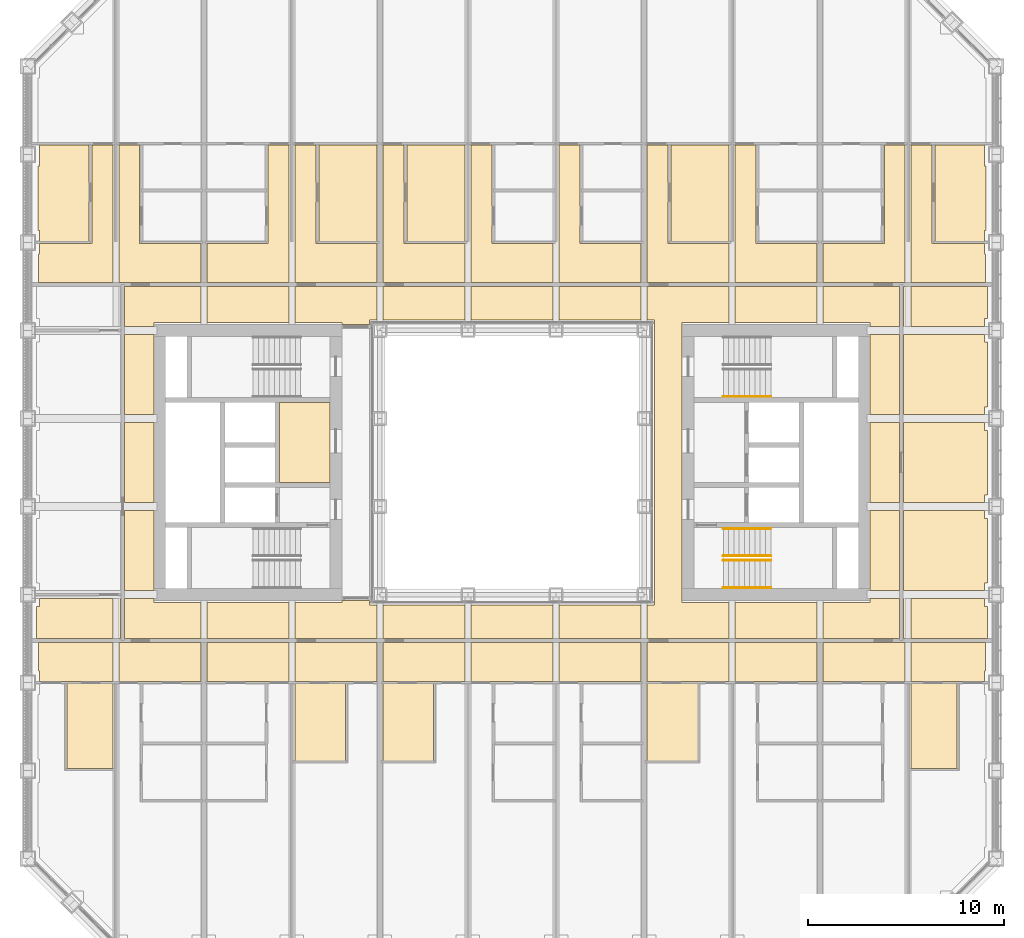
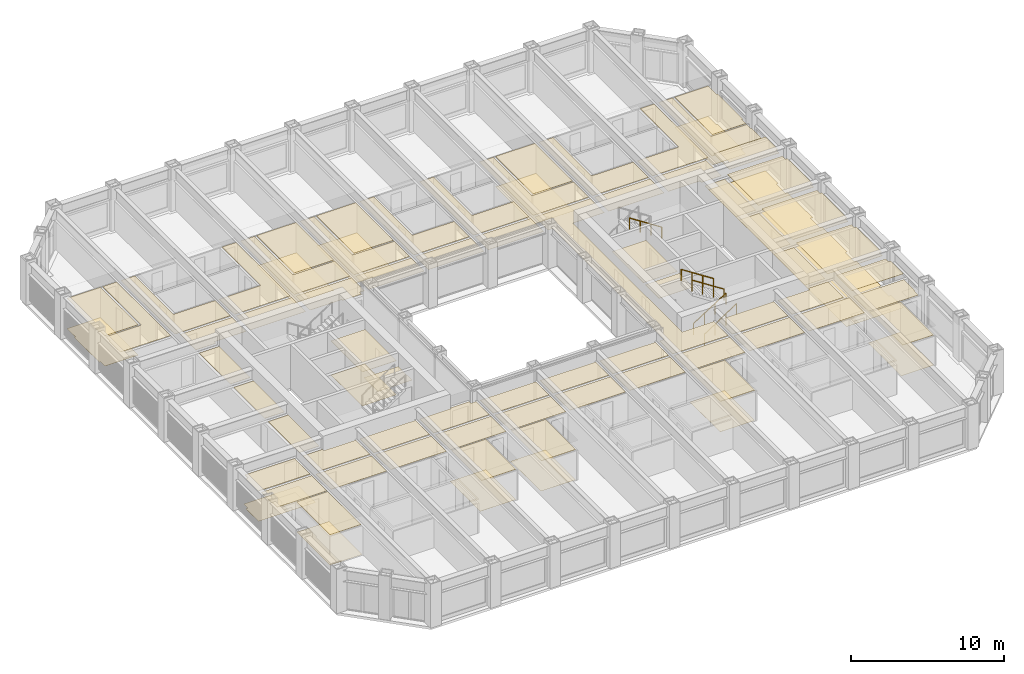
# One storey, part 20 of 21: 5 railings, 4 coverings.
"""IFC4 building model written with IfcOpenShell, lengths in metres."""

from ifc_helpers import new_model, si_unit, direction, frame, origin, origin_2d, place, context, subcontext, project, spatial, line, indexed_curve, circle, outline, extrude, material, layer, layer_set, type_object, element, save


model = new_model("IFC4")

# Units and contexts
model_context = context("Model", 3, precision=1e-05, world=origin(), true_north=direction((0.0, 1.0)))
body_context = subcontext(model_context, "Body", "Model", "MODEL_VIEW")
ifc_project = project(units=[si_unit("LENGTHUNIT", "METRE"), si_unit("AREAUNIT", "SQUARE_METRE"), si_unit("VOLUMEUNIT", "CUBIC_METRE"), si_unit("PLANEANGLEUNIT", "RADIAN"), si_unit("MASSUNIT", "GRAM", prefix="KILO")], contexts=[model_context])

# Site, building, storey
site_placement = place(None, origin())
site = spatial("IfcSite", under=ifc_project, at=site_placement, CompositionType="ELEMENT")
building_placement = place(site_placement, origin())
building = spatial("IfcBuilding", under=site, at=building_placement, Name="Msasa Ring Tower", CompositionType="ELEMENT")
storey_placement = place(building_placement, frame((0.0, 0.0, 54.5)))
storey = spatial("IfcBuildingStorey", under=building, at=storey_placement, Name="L13", CompositionType="ELEMENT", Elevation=54.5)

# Coverings
ifc_material_1 = material(Name="Gypsum plasterboard on a steel suspension grid", Category="steel")
ifc_layer_1 = layer(ifc_material_1, 0.014892578125)
ifc_layer_set_1 = layer_set([ifc_layer_1], Name="C1 SUSPENDED PLASTERBOARD CEILING 15")
covering_type_1 = type_object("IfcCoveringType", Name="C1 SUSPENDED PLASTERBOARD CEILING 15", PredefinedType="CEILING", material=ifc_layer_set_1)
covering_1_placement = place(storey_placement, frame((0.0, 0.0, 2.39990234375)))
element("IfcCovering", 1, at=covering_1_placement, inside=storey, type_object=covering_type_1, Name="Suspended Plasterboard Ceiling 15 circulation L13", PredefinedType="CEILING", context=body_context, shape_type="SweptSolid", body=[
    extrude(outline(indexed_curve([(-24.1494140625, -11.199462890625), (-24.1494140625, -10.6494140625), (-24.199462890625, -10.6494140625), (-24.199462890625, -9.200439453125), (-20.404296875, -9.200439453125), (-20.404296875, -11.199462890625)], segments=[line(1, 2, 3, 4, 5, 6, 1)], self_intersect=False)), origin(), (0.0, 0.0, 1.0), 0.01513671875),
    extrude(outline(indexed_curve([(-24.199462890625, 9.200439453125), (-24.199462890625, 10.6494140625), (-24.1494140625, 10.6494140625), (-24.1494140625, 11.199462890625), (-21.469482421875, 11.199462890625), (-21.469482421875, 16.244384765625), (-20.404296875, 16.244384765625), (-20.404296875, 9.200439453125)], segments=[line(1, 2, 3, 4, 5, 6, 7, 8, 1)], self_intersect=False)), origin(), (0.0, 0.0, 1.0), 0.01513671875),
    extrude(outline(indexed_curve([(-20.095703125, -11.199462890625), (-20.095703125, -9.200439453125), (-15.904296875, -9.200439453125), (-15.904296875, -11.199462890625)], segments=[line(1, 2, 3, 4, 1)], self_intersect=False)), origin(), (0.0, 0.0, 1.0), 0.01513671875),
    extrude(outline(indexed_curve([(-19.030517578125, 16.244384765625), (-19.030517578125, 11.199462890625), (-15.904296875, 11.199462890625), (-15.904296875, 9.200439453125), (-20.095703125, 9.200439453125), (-20.095703125, 16.244384765625)], segments=[line(1, 2, 3, 4, 5, 6, 1)], self_intersect=False)), origin(), (0.0, 0.0, 1.0), 0.01513671875),
    extrude(outline(indexed_curve([(-19.799560546875, -8.99951171875), (-19.799560546875, -6.960693359375), (-18.300537109375, -6.960693359375), (-18.300537109375, -7.150390625), (-15.904296875, -7.150390625), (-15.904296875, -8.99951171875)], segments=[line(1, 2, 3, 4, 5, 6, 1)], self_intersect=False)), origin(), (0.0, 0.0, 1.0), 0.01513671875),
    extrude(outline(indexed_curve([(-19.799560546875, -2.460693359375), (-18.300537109375, -2.460693359375), (-18.300537109375, -6.539306640625), (-19.799560546875, -6.539306640625)], segments=[line(1, 2, 3, 4, 1)], self_intersect=False)), origin(), (0.0, 0.0, 1.0), 0.01513671875),
    extrude(outline(indexed_curve([(-19.799560546875, 2.039306640625), (-18.300537109375, 2.039306640625), (-18.300537109375, -2.039306640625), (-19.799560546875, -2.039306640625)], segments=[line(1, 2, 3, 4, 1)], self_intersect=False)), origin(), (0.0, 0.0, 1.0), 0.01513671875),
    extrude(outline(indexed_curve([(-19.799560546875, 6.539306640625), (-18.300537109375, 6.539306640625), (-18.300537109375, 2.460693359375), (-19.799560546875, 2.460693359375)], segments=[line(1, 2, 3, 4, 1)], self_intersect=False)), origin(), (0.0, 0.0, 1.0), 0.01513671875),
    extrude(outline(indexed_curve([(-19.799560546875, 8.99951171875), (-15.904296875, 8.99951171875), (-15.904296875, 7.150390625), (-18.300537109375, 7.150390625), (-18.300537109375, 6.960693359375), (-19.799560546875, 6.960693359375)], segments=[line(1, 2, 3, 4, 5, 6, 1)], self_intersect=False)), origin(), (0.0, 0.0, 1.0), 0.01513671875),
    extrude(outline(indexed_curve([(-11.404296875, -9.200439453125), (-11.404296875, -11.199462890625), (-15.595703125, -11.199462890625), (-15.595703125, -9.200439453125)], segments=[line(1, 2, 3, 4, 1)], self_intersect=False)), origin(), (0.0, 0.0, 1.0), 0.01513671875),
    extrude(outline(indexed_curve([(-15.595703125, -8.99951171875), (-15.595703125, -7.150390625), (-11.404296875, -7.150390625), (-11.404296875, -8.99951171875)], segments=[line(1, 2, 3, 4, 1)], self_intersect=False)), origin(), (0.0, 0.0, 1.0), 0.01513671875),
    extrude(outline(indexed_curve([(-11.404296875, 8.99951171875), (-11.404296875, 7.150390625), (-15.595703125, 7.150390625), (-15.595703125, 8.99951171875)], segments=[line(1, 2, 3, 4, 1)], self_intersect=False)), origin(), (0.0, 0.0, 1.0), 0.01513671875),
    extrude(outline(indexed_curve([(-15.595703125, 9.200439453125), (-15.595703125, 11.199462890625), (-12.469482421875, 11.199462890625), (-12.469482421875, 16.244384765625), (-11.404296875, 16.244384765625), (-11.404296875, 9.200439453125)], segments=[line(1, 2, 3, 4, 5, 6, 1)], self_intersect=False)), origin(), (0.0, 0.0, 1.0), 0.01513671875),
    extrude(outline(indexed_curve([(-11.87451171875, -1.275390625), (-9.300537109375, -1.275390625), (-9.300537109375, -3.074462890625), (-11.87451171875, -3.074462890625)], segments=[line(1, 2, 3, 4, 1)], self_intersect=False)), origin(), (0.0, 0.0, 1.0), 0.01513671875),
    extrude(outline(indexed_curve([(-6.904296875, -9.200439453125), (-6.904296875, -11.199462890625), (-11.095703125, -11.199462890625), (-11.095703125, -9.200439453125)], segments=[line(1, 2, 3, 4, 1)], self_intersect=False)), origin(), (0.0, 0.0, 1.0), 0.01513671875),
    extrude(outline(indexed_curve([(-11.095703125, -8.99951171875), (-11.095703125, -7.150390625), (-8.699462890625, -7.150390625), (-8.699462890625, -7.050537109375), (-7.280029296875, -7.050537109375), (-7.275390625, -7.275390625), (-6.904296875, -7.280029296875), (-6.904296875, -8.99951171875)], segments=[line(1, 2, 3, 4, 5, 6, 7, 8, 1)], self_intersect=False)), origin(), (0.0, 0.0, 1.0), 0.01513671875),
    extrude(outline(indexed_curve([(-6.904296875, 8.99951171875), (-6.904296875, 7.280029296875), (-7.275390625, 7.275390625), (-7.280029296875, 7.050537109375), (-8.699462890625, 7.050537109375), (-8.699462890625, 7.150390625), (-11.095703125, 7.150390625), (-11.095703125, 8.99951171875)], segments=[line(1, 2, 3, 4, 5, 6, 7, 8, 1)], self_intersect=False)), origin(), (0.0, 0.0, 1.0), 0.01513671875),
    extrude(outline(indexed_curve([(-10.030517578125, 16.244384765625), (-10.030517578125, 11.199462890625), (-6.904296875, 11.199462890625), (-6.904296875, 9.200439453125), (-11.095703125, 9.200439453125), (-11.095703125, 16.244384765625)], segments=[line(1, 2, 3, 4, 5, 6, 1)], self_intersect=False)), origin(), (0.0, 0.0, 1.0), 0.01513671875),
    extrude(outline(indexed_curve([(-6.595703125, -11.199462890625), (-6.595703125, -9.200439453125), (-2.404296875, -9.200439453125), (-2.404296875, -11.199462890625)], segments=[line(1, 2, 3, 4, 1)], self_intersect=False)), origin(), (0.0, 0.0, 1.0), 0.01513671875),
    extrude(outline(indexed_curve([(-6.595703125, -8.99951171875), (-6.595703125, -7.280029296875), (-2.404296875, -7.280029296875), (-2.404296875, -8.99951171875)], segments=[line(1, 2, 3, 4, 1)], self_intersect=False)), origin(), (0.0, 0.0, 1.0), 0.01513671875),
    extrude(outline(indexed_curve([(-2.404296875, 8.99951171875), (-2.404296875, 7.280029296875), (-6.595703125, 7.280029296875), (-6.595703125, 8.99951171875)], segments=[line(1, 2, 3, 4, 1)], self_intersect=False)), origin(), (0.0, 0.0, 1.0), 0.01513671875),
    extrude(outline(indexed_curve([(-2.404296875, 11.199462890625), (-2.404296875, 9.200439453125), (-6.595703125, 9.200439453125), (-6.595703125, 16.244384765625), (-5.530517578125, 16.244384765625), (-5.530517578125, 11.199462890625)], segments=[line(1, 2, 3, 4, 5, 6, 1)], self_intersect=False)), origin(), (0.0, 0.0, 1.0), 0.01513671875),
    extrude(outline(indexed_curve([(-2.095703125, -11.199462890625), (-2.095703125, -9.200439453125), (2.095703125, -9.200439453125), (2.095703125, -11.199462890625)], segments=[line(1, 2, 3, 4, 1)], self_intersect=False)), origin(), (0.0, 0.0, 1.0), 0.01513671875),
    extrude(outline(indexed_curve([(-2.095703125, -8.99951171875), (-2.095703125, -7.280029296875), (2.095703125, -7.280029296875), (2.095703125, -8.99951171875)], segments=[line(1, 2, 3, 4, 1)], self_intersect=False)), origin(), (0.0, 0.0, 1.0), 0.01513671875),
    extrude(outline(indexed_curve([(2.095703125, 8.99951171875), (2.095703125, 7.280029296875), (-2.095703125, 7.280029296875), (-2.095703125, 8.99951171875)], segments=[line(1, 2, 3, 4, 1)], self_intersect=False)), origin(), (0.0, 0.0, 1.0), 0.01513671875),
    extrude(outline(indexed_curve([(-1.030517578125, 16.244384765625), (-1.030517578125, 11.199462890625), (2.095703125, 11.199462890625), (2.095703125, 9.200439453125), (-2.095703125, 9.200439453125), (-2.095703125, 16.244384765625)], segments=[line(1, 2, 3, 4, 5, 6, 1)], self_intersect=False)), origin(), (0.0, 0.0, 1.0), 0.01513671875),
    extrude(outline(indexed_curve([(2.404296875, -11.199462890625), (2.404296875, -9.200439453125), (6.595703125, -9.200439453125), (6.595703125, -11.199462890625)], segments=[line(1, 2, 3, 4, 1)], self_intersect=False)), origin(), (0.0, 0.0, 1.0), 0.01513671875),
    extrude(outline(indexed_curve([(2.404296875, -8.99951171875), (2.404296875, -7.280029296875), (6.595703125, -7.280029296875), (6.595703125, -8.99951171875)], segments=[line(1, 2, 3, 4, 1)], self_intersect=False)), origin(), (0.0, 0.0, 1.0), 0.01513671875),
    extrude(outline(indexed_curve([(6.595703125, 8.99951171875), (6.595703125, 7.280029296875), (2.404296875, 7.280029296875), (2.404296875, 8.99951171875)], segments=[line(1, 2, 3, 4, 1)], self_intersect=False)), origin(), (0.0, 0.0, 1.0), 0.01513671875),
    extrude(outline(indexed_curve([(3.469482421875, 16.244384765625), (3.469482421875, 11.199462890625), (6.595703125, 11.199462890625), (6.595703125, 9.200439453125), (2.404296875, 9.200439453125), (2.404296875, 16.244384765625)], segments=[line(1, 2, 3, 4, 5, 6, 1)], self_intersect=False)), origin(), (0.0, 0.0, 1.0), 0.01513671875),
    extrude(outline(indexed_curve([(11.095703125, -9.200439453125), (11.095703125, -11.199462890625), (6.904296875, -11.199462890625), (6.904296875, -9.200439453125)], segments=[line(1, 2, 3, 4, 1)], self_intersect=False)), origin(), (0.0, 0.0, 1.0), 0.01513671875),
    extrude(outline(indexed_curve([(6.904296875, -8.99951171875), (6.904296875, -7.280029296875), (7.275390625, -7.275390625), (7.280517578125, -7.23046875), (7.280517578125, 7.23046875), (7.275390625, 7.275390625), (6.904296875, 7.280029296875), (6.904296875, 8.99951171875), (11.095703125, 8.99951171875), (11.095703125, 7.150390625), (8.699462890625, 7.150390625), (8.699462890625, -7.150390625), (11.095703125, -7.150390625), (11.095703125, -8.99951171875)], segments=[line(1, 2, 3, 4, 5, 6, 7, 8, 9, 10, 11, 12, 13, 14, 1)], self_intersect=False)), origin(), (0.0, 0.0, 1.0), 0.01513671875),
    extrude(outline(indexed_curve([(7.969482421875, 11.199462890625), (11.095703125, 11.199462890625), (11.095703125, 9.200439453125), (6.904296875, 9.200439453125), (6.904296875, 16.244384765625), (7.969482421875, 16.244384765625)], segments=[line(1, 2, 3, 4, 5, 6, 1)], self_intersect=False)), origin(), (0.0, 0.0, 1.0), 0.01513671875),
    extrude(outline(indexed_curve([(9.300537109375, -1.275390625), (11.87451171875, -1.275390625), (11.87451171875, -3.074462890625), (9.300537109375, -3.074462890625)], segments=[line(1, 2, 3, 4, 1)], self_intersect=False)), origin(), (0.0, 0.0, 1.0), 0.01513671875),
    extrude(outline(indexed_curve([(9.300537109375, 3.074462890625), (11.87451171875, 3.074462890625), (11.87451171875, -1.0244140625), (9.300537109375, -1.0244140625)], segments=[line(1, 2, 3, 4, 1)], self_intersect=False)), origin(), (0.0, 0.0, 1.0), 0.01513671875),
    extrude(outline(indexed_curve([(15.595703125, -9.200439453125), (15.595703125, -11.199462890625), (11.404296875, -11.199462890625), (11.404296875, -9.200439453125)], segments=[line(1, 2, 3, 4, 1)], self_intersect=False)), origin(), (0.0, 0.0, 1.0), 0.01513671875),
    extrude(outline(indexed_curve([(11.404296875, -8.99951171875), (11.404296875, -7.150390625), (15.595703125, -7.150390625), (15.595703125, -8.99951171875)], segments=[line(1, 2, 3, 4, 1)], self_intersect=False)), origin(), (0.0, 0.0, 1.0), 0.01513671875),
    extrude(outline(indexed_curve([(15.595703125, 8.99951171875), (15.595703125, 7.150390625), (11.404296875, 7.150390625), (11.404296875, 8.99951171875)], segments=[line(1, 2, 3, 4, 1)], self_intersect=False)), origin(), (0.0, 0.0, 1.0), 0.01513671875),
    extrude(outline(indexed_curve([(12.469482421875, 16.244384765625), (12.469482421875, 11.199462890625), (15.595703125, 11.199462890625), (15.595703125, 9.200439453125), (11.404296875, 9.200439453125), (11.404296875, 16.244384765625)], segments=[line(1, 2, 3, 4, 5, 6, 1)], self_intersect=False)), origin(), (0.0, 0.0, 1.0), 0.01513671875),
    extrude(outline(indexed_curve([(20.095703125, -9.200439453125), (20.095703125, -11.199462890625), (15.904296875, -11.199462890625), (15.904296875, -9.200439453125)], segments=[line(1, 2, 3, 4, 1)], self_intersect=False)), origin(), (0.0, 0.0, 1.0), 0.01513671875),
    extrude(outline(indexed_curve([(19.799560546875, -8.99951171875), (15.904296875, -8.99951171875), (15.904296875, -7.150390625), (18.300537109375, -7.150390625), (18.300537109375, -6.960693359375), (19.799560546875, -6.960693359375)], segments=[line(1, 2, 3, 4, 5, 6, 1)], self_intersect=False)), origin(), (0.0, 0.0, 1.0), 0.01513671875),
    extrude(outline(indexed_curve([(19.799560546875, 6.960693359375), (18.300537109375, 6.960693359375), (18.300537109375, 7.150390625), (15.904296875, 7.150390625), (15.904296875, 8.99951171875), (19.799560546875, 8.99951171875)], segments=[line(1, 2, 3, 4, 5, 6, 1)], self_intersect=False)), origin(), (0.0, 0.0, 1.0), 0.01513671875),
    extrude(outline(indexed_curve([(15.904296875, 9.200439453125), (15.904296875, 11.199462890625), (19.030517578125, 11.199462890625), (19.030517578125, 16.244384765625), (20.095703125, 16.244384765625), (20.095703125, 9.200439453125)], segments=[line(1, 2, 3, 4, 5, 6, 1)], self_intersect=False)), origin(), (0.0, 0.0, 1.0), 0.01513671875),
    extrude(outline(indexed_curve([(19.799560546875, -6.539306640625), (18.300537109375, -6.539306640625), (18.300537109375, -2.460693359375), (19.799560546875, -2.460693359375)], segments=[line(1, 2, 3, 4, 1)], self_intersect=False)), origin(), (0.0, 0.0, 1.0), 0.01513671875),
    extrude(outline(indexed_curve([(19.799560546875, -2.039306640625), (18.300537109375, -2.039306640625), (18.300537109375, 2.039306640625), (19.799560546875, 2.039306640625)], segments=[line(1, 2, 3, 4, 1)], self_intersect=False)), origin(), (0.0, 0.0, 1.0), 0.01513671875),
    extrude(outline(indexed_curve([(19.799560546875, 2.460693359375), (18.300537109375, 2.460693359375), (18.300537109375, 6.539306640625), (19.799560546875, 6.539306640625)], segments=[line(1, 2, 3, 4, 1)], self_intersect=False)), origin(), (0.0, 0.0, 1.0), 0.01513671875),
    extrude(outline(indexed_curve([(24.199462890625, -9.200439453125), (24.199462890625, -10.6494140625), (24.1494140625, -10.6494140625), (24.1494140625, -11.199462890625), (20.404296875, -11.199462890625), (20.404296875, -9.200439453125)], segments=[line(1, 2, 3, 4, 5, 6, 1)], self_intersect=False)), origin(), (0.0, 0.0, 1.0), 0.01513671875),
    extrude(outline(indexed_curve([(21.469482421875, 16.244384765625), (21.469482421875, 11.199462890625), (24.1494140625, 11.199462890625), (24.1494140625, 10.6494140625), (24.199462890625, 10.6494140625), (24.199462890625, 9.200439453125), (20.404296875, 9.200439453125), (20.404296875, 16.244384765625)], segments=[line(1, 2, 3, 4, 5, 6, 7, 8, 1)], self_intersect=False)), origin(), (0.0, 0.0, 1.0), 0.01513671875),
])
ifc_material_2 = material(Name="Mineral fibre ceiling tiles on an exposed steel grid", Category="steel")
ifc_layer_2 = layer(ifc_material_2, 0.02001953125)
ifc_layer_set_2 = layer_set([ifc_layer_2], Name="C3 ACOUSTIC MINERAL FIBRE TILE CEILING 20")
covering_type_2 = type_object("IfcCoveringType", Name="C3 ACOUSTIC MINERAL FIBRE TILE CEILING 20", PredefinedType="CEILING", material=ifc_layer_set_2)
covering_2_placement = place(storey_placement, frame((0.0, 0.0, 2.699951171875)))
element("IfcCovering", 2, at=covering_2_placement, inside=storey, type_object=covering_type_2, Name="Acoustic Mineral Fibre Tile Ceiling 20 L13", PredefinedType="CEILING", context=body_context, shape_type="SweptSolid", body=[
    extrude(outline(indexed_curve([(-9.300537109375, 3.074462890625), (-9.300537109375, -1.0244140625), (-11.87451171875, -1.0244140625), (-11.87451171875, 3.074462890625)], segments=[line(1, 2, 3, 4, 1)], self_intersect=False)), origin(), (0.0, 0.0, 1.0), 0.02001953125),
    extrude(outline(indexed_curve([(20.00048828125, -2.460693359375), (24.1494140625, -2.460693359375), (24.1494140625, -2.8505859375), (24.299560546875, -2.8505859375), (24.299560546875, -6.1494140625), (24.1494140625, -6.1494140625), (24.1494140625, -6.539306640625), (20.00048828125, -6.539306640625)], segments=[line(1, 2, 3, 4, 5, 6, 7, 8, 1)], self_intersect=False)), origin(), (0.0, 0.0, 1.0), 0.02001953125),
    extrude(outline(indexed_curve([(20.00048828125, 2.039306640625), (24.1494140625, 2.039306640625), (24.1494140625, 1.6494140625), (24.299560546875, 1.6494140625), (24.299560546875, -1.6494140625), (24.1494140625, -1.6494140625), (24.1494140625, -2.039306640625), (20.00048828125, -2.039306640625)], segments=[line(1, 2, 3, 4, 5, 6, 7, 8, 1)], self_intersect=False)), origin(), (0.0, 0.0, 1.0), 0.02001953125),
    extrude(outline(indexed_curve([(20.00048828125, 6.539306640625), (24.1494140625, 6.539306640625), (24.1494140625, 6.1494140625), (24.299560546875, 6.1494140625), (24.299560546875, 2.8505859375), (24.1494140625, 2.8505859375), (24.1494140625, 2.460693359375), (20.00048828125, 2.460693359375)], segments=[line(1, 2, 3, 4, 5, 6, 7, 8, 1)], self_intersect=False)), origin(), (0.0, 0.0, 1.0), 0.02001953125),
    extrude(outline(indexed_curve([(24.299560546875, -8.99951171875), (20.404296875, -8.99951171875), (20.404296875, -6.960693359375), (24.1494140625, -6.960693359375), (24.1494140625, -7.3505859375), (24.299560546875, -7.3505859375)], segments=[line(1, 2, 3, 4, 5, 6, 1)], self_intersect=False)), origin(), (0.0, 0.0, 1.0), 0.02001953125),
    extrude(outline(indexed_curve([(24.299560546875, 8.99951171875), (24.299560546875, 7.3505859375), (24.1494140625, 7.3505859375), (24.1494140625, 6.960693359375), (20.404296875, 6.960693359375), (20.404296875, 8.99951171875)], segments=[line(1, 2, 3, 4, 5, 6, 1)], self_intersect=False)), origin(), (0.0, 0.0, 1.0), 0.02001953125),
])
ifc_material_3 = material(Name="Perforated aluminium ceiling pans on a steel grid", Category="steel")
ifc_layer_3 = layer(ifc_material_3, 0.02490234375)
ifc_layer_set_3 = layer_set([ifc_layer_3], Name="C4 PERFORATED METAL PAN CEILING 25")
covering_type_3 = type_object("IfcCoveringType", Name="C4 PERFORATED METAL PAN CEILING 25", PredefinedType="CEILING", material=ifc_layer_set_3)
covering_3_placement = place(storey_placement, frame((0.0, 0.0, 2.39990234375)))
element("IfcCovering", 3, at=covering_3_placement, inside=storey, type_object=covering_type_3, Name="Perforated Metal Pan Ceiling 25 L13", PredefinedType="CEILING", context=body_context, shape_type="SweptSolid", body=[
    extrude(outline(indexed_curve([(-24.299560546875, -8.99951171875), (-24.299560546875, -7.3505859375), (-24.1494140625, -7.3505859375), (-24.1494140625, -6.960693359375), (-20.404296875, -6.960693359375), (-20.404296875, -8.99951171875)], segments=[line(1, 2, 3, 4, 5, 6, 1)], self_intersect=False)), origin(), (0.0, 0.0, 1.0), 0.025146484375),
    extrude(outline(indexed_curve([(-24.239501953125, 15.1494140625), (-24.1494140625, 15.1494140625), (-24.1494140625, 16.244384765625), (-21.630615234375, 16.244384765625), (-21.630615234375, 11.305419921875), (-24.1494140625, 11.305419921875), (-24.1494140625, 11.8505859375), (-24.239501953125, 11.8505859375)], segments=[line(1, 2, 3, 4, 5, 6, 7, 8, 1)], self_intersect=False)), origin(), (0.0, 0.0, 1.0), 0.025146484375),
    extrude(outline(indexed_curve([(-22.74951171875, -15.6416015625), (-22.74951171875, -11.300537109375), (-20.404296875, -11.300537109375), (-20.404296875, -15.6416015625)], segments=[line(1, 2, 3, 4, 1)], self_intersect=False)), origin(), (0.0, 0.0, 1.0), 0.025146484375),
    extrude(outline(indexed_curve([(-11.095703125, -15.24951171875), (-11.095703125, -11.300537109375), (-8.50048828125, -11.300537109375), (-8.50048828125, -15.24951171875)], segments=[line(1, 2, 3, 4, 1)], self_intersect=False)), origin(), (0.0, 0.0, 1.0), 0.025146484375),
    extrude(outline(indexed_curve([(-9.869384765625, 11.305419921875), (-9.869384765625, 16.244384765625), (-6.904296875, 16.244384765625), (-6.904296875, 11.305419921875)], segments=[line(1, 2, 3, 4, 1)], self_intersect=False)), origin(), (0.0, 0.0, 1.0), 0.025146484375),
    extrude(outline(indexed_curve([(-6.595703125, -15.24951171875), (-6.595703125, -11.300537109375), (-4.00048828125, -11.300537109375), (-4.00048828125, -15.24951171875)], segments=[line(1, 2, 3, 4, 1)], self_intersect=False)), origin(), (0.0, 0.0, 1.0), 0.025146484375),
    extrude(outline(indexed_curve([(-5.369384765625, 11.305419921875), (-5.369384765625, 16.244384765625), (-2.404296875, 16.244384765625), (-2.404296875, 11.305419921875)], segments=[line(1, 2, 3, 4, 1)], self_intersect=False)), origin(), (0.0, 0.0, 1.0), 0.025146484375),
    extrude(outline(indexed_curve([(9.49951171875, -11.300537109375), (9.49951171875, -15.24951171875), (6.904296875, -15.24951171875), (6.904296875, -11.300537109375)], segments=[line(1, 2, 3, 4, 1)], self_intersect=False)), origin(), (0.0, 0.0, 1.0), 0.025146484375),
    extrude(outline(indexed_curve([(8.130615234375, 16.244384765625), (11.095703125, 16.244384765625), (11.095703125, 11.305419921875), (8.130615234375, 11.305419921875)], segments=[line(1, 2, 3, 4, 1)], self_intersect=False)), origin(), (0.0, 0.0, 1.0), 0.025146484375),
    extrude(outline(indexed_curve([(22.74951171875, -11.300537109375), (22.74951171875, -15.6416015625), (20.404296875, -15.6416015625), (20.404296875, -11.300537109375)], segments=[line(1, 2, 3, 4, 1)], self_intersect=False)), origin(), (0.0, 0.0, 1.0), 0.025146484375),
    extrude(outline(indexed_curve([(21.630615234375, 16.244384765625), (24.1494140625, 16.244384765625), (24.1494140625, 15.1494140625), (24.239501953125, 15.1494140625), (24.239501953125, 11.8505859375), (24.1494140625, 11.8505859375), (24.1494140625, 11.305419921875), (21.630615234375, 11.305419921875)], segments=[line(1, 2, 3, 4, 5, 6, 7, 8, 1)], self_intersect=False)), origin(), (0.0, 0.0, 1.0), 0.025146484375),
])
ifc_material_4 = material(Name="Welded vinyl safety sheet flooring", Category="vinyl")
ifc_layer_4 = layer(ifc_material_4, 0.0029296875)
ifc_layer_set_4 = layer_set([ifc_layer_4], Name="F5 RESILIENT SHEET FLOORING 3")
covering_type_4 = type_object("IfcCoveringType", Name="F5 RESILIENT SHEET FLOORING 3", PredefinedType="FLOORING", material=ifc_layer_set_4)
covering_4_placement = place(storey_placement, origin())
element("IfcCovering", 4, at=covering_4_placement, inside=storey, type_object=covering_type_4, Name="Resilient Sheet Flooring 3 L13", PredefinedType="FLOORING", context=body_context, shape_type="SweptSolid", body=[
    extrude(outline(indexed_curve([(-20.00048828125, -8.99951171875), (-24.299560546875, -8.99951171875), (-24.299560546875, -7.3505859375), (-24.1494140625, -7.3505859375), (-24.1494140625, -6.805419921875), (-20.00048828125, -6.805419921875)], segments=[line(1, 2, 3, 4, 5, 6, 1)], self_intersect=False)), origin(), (0.0, 0.0, 1.0), 0.0029296875),
    extrude(outline(indexed_curve([(-21.630615234375, 16.244384765625), (-21.630615234375, 11.305419921875), (-24.1494140625, 11.305419921875), (-24.1494140625, 11.8505859375), (-24.239501953125, 11.8505859375), (-24.239501953125, 15.1494140625), (-24.1494140625, 15.1494140625), (-24.1494140625, 16.244384765625)], segments=[line(1, 2, 3, 4, 5, 6, 7, 8, 1)], self_intersect=False)), origin(), (0.0, 0.0, 1.0), 0.0029296875),
    extrude(outline(indexed_curve([(-22.74951171875, -11.300537109375), (-20.310546875, -11.300537109375), (-20.310546875, -15.6416015625), (-22.74951171875, -15.6416015625)], segments=[line(1, 2, 3, 4, 1)], self_intersect=False)), origin(), (0.0, 0.0, 1.0), 0.0029296875),
    extrude(outline(indexed_curve([(-9.300537109375, 3.074462890625), (-9.300537109375, -1.0244140625), (-11.87451171875, -1.0244140625), (-11.87451171875, 3.074462890625)], segments=[line(1, 2, 3, 4, 1)], self_intersect=False)), origin(), (0.0, 0.0, 1.0), 0.0029296875),
    extrude(outline(indexed_curve([(-8.50048828125, -11.300537109375), (-8.50048828125, -15.24951171875), (-11.189453125, -15.24951171875), (-11.189453125, -11.300537109375)], segments=[line(1, 2, 3, 4, 1)], self_intersect=False)), origin(), (0.0, 0.0, 1.0), 0.0029296875),
    extrude(outline(indexed_curve([(-9.869384765625, 16.244384765625), (-6.87548828125, 16.244384765625), (-6.87548828125, 11.305419921875), (-9.869384765625, 11.305419921875)], segments=[line(1, 2, 3, 4, 1)], self_intersect=False)), origin(), (0.0, 0.0, 1.0), 0.0029296875),
    extrude(outline(indexed_curve([(-4.00048828125, -11.300537109375), (-4.00048828125, -15.24951171875), (-6.62451171875, -15.24951171875), (-6.62451171875, -11.300537109375)], segments=[line(1, 2, 3, 4, 1)], self_intersect=False)), origin(), (0.0, 0.0, 1.0), 0.0029296875),
    extrude(outline(indexed_curve([(-2.310546875, 16.244384765625), (-2.310546875, 11.305419921875), (-5.369384765625, 11.305419921875), (-5.369384765625, 16.244384765625)], segments=[line(1, 2, 3, 4, 1)], self_intersect=False)), origin(), (0.0, 0.0, 1.0), 0.0029296875),
    extrude(outline(indexed_curve([(9.49951171875, -11.300537109375), (9.49951171875, -15.24951171875), (6.87548828125, -15.24951171875), (6.87548828125, -11.300537109375)], segments=[line(1, 2, 3, 4, 1)], self_intersect=False)), origin(), (0.0, 0.0, 1.0), 0.0029296875),
    extrude(outline(indexed_curve([(11.189453125, 16.244384765625), (11.189453125, 11.305419921875), (8.130615234375, 11.305419921875), (8.130615234375, 16.244384765625)], segments=[line(1, 2, 3, 4, 1)], self_intersect=False)), origin(), (0.0, 0.0, 1.0), 0.0029296875),
    extrude(outline(indexed_curve([(20.00048828125, 8.99951171875), (24.299560546875, 8.99951171875), (24.299560546875, 7.3505859375), (24.1494140625, 7.3505859375), (24.1494140625, 6.1494140625), (24.299560546875, 6.1494140625), (24.299560546875, 2.8505859375), (24.1494140625, 2.8505859375), (24.1494140625, 1.6494140625), (24.299560546875, 1.6494140625), (24.299560546875, -1.6494140625), (24.1494140625, -1.6494140625), (24.1494140625, -2.8505859375), (24.299560546875, -2.8505859375), (24.299560546875, -6.1494140625), (24.1494140625, -6.1494140625), (24.1494140625, -7.3505859375), (24.299560546875, -7.3505859375), (24.299560546875, -8.99951171875), (20.00048828125, -8.99951171875)], segments=[line(1, 2, 3, 4, 5, 6, 7, 8, 9, 10, 11, 12, 13, 14, 15, 16, 17, 18, 19, 20, 1)], self_intersect=False)), origin(), (0.0, 0.0, 1.0), 0.0029296875),
    extrude(outline(indexed_curve([(22.74951171875, -11.300537109375), (22.74951171875, -15.6416015625), (20.310546875, -15.6416015625), (20.310546875, -11.300537109375)], segments=[line(1, 2, 3, 4, 1)], self_intersect=False)), origin(), (0.0, 0.0, 1.0), 0.0029296875),
    extrude(outline(indexed_curve([(24.1494140625, 16.244384765625), (24.1494140625, 15.1494140625), (24.239501953125, 15.1494140625), (24.239501953125, 11.8505859375), (24.1494140625, 11.8505859375), (24.1494140625, 11.305419921875), (21.630615234375, 11.305419921875), (21.630615234375, 16.244384765625)], segments=[line(1, 2, 3, 4, 5, 6, 7, 8, 1)], self_intersect=False)), origin(), (0.0, 0.0, 1.0), 0.0029296875),
])

# Railings
ifc_material_5 = material(Name="Stainless steel", Category="steel")
railing_type = type_object("IfcRailingType", Name="HR1 HANDRAIL 900", PredefinedType="HANDRAIL", material=ifc_material_5)
for number, where, name in (
    (5, (10.800048828125, -6.39990234375, 0.175048828125), "Handrail stair SEA L13 1"),
    (6, (10.800048828125, -5.0, 0.175048828125), "Handrail stair SEA L13 2"),
):
    element("IfcRailing", number, at=place(storey_placement, frame(where)), inside=storey, type_object=railing_type, Name=name, PredefinedType="HANDRAIL", context=body_context, shape_type="SweptSolid", body=[
        extrude(circle(Radius=0.02392578125, at=origin_2d()), frame((0.0, 0.0, 0.8759765625), z_axis=(0.839153699163, 0.0, 0.543894354798), x_axis=(0.0, 1.0, 0.0)), (0.0, 0.0, 1.0), 2.895751953125),
        extrude(circle(Radius=0.02099609375, at=origin_2d()), origin(), (0.0, 0.0, 1.0), 0.851806640625),
        extrude(circle(Radius=0.02099609375, at=origin_2d()), frame((0.81005859375, 0.0, 0.52490234375)), (0.0, 0.0, 1.0), 0.851806640625),
        extrude(circle(Radius=0.02099609375, at=origin_2d()), frame((1.619873046875, 0.0, 1.050048828125)), (0.0, 0.0, 1.0), 0.851806640625),
        extrude(circle(Radius=0.02099609375, at=origin_2d()), frame((2.429931640625, 0.0, 1.574951171875)), (0.0, 0.0, 1.0), 0.851806640625),
    ])
for number, where, name in (
    (7, (13.22998046875, -4.77490234375, 1.925048828125), "Handrail stair SEA L13 3"),
    (8, (13.22998046875, -3.375, 1.925048828125), "Handrail stair SEA L13 4"),
    (9, (13.22998046875, 3.375, 1.925048828125), "Handrail stair SEB L13 3"),
):
    element("IfcRailing", number, at=place(storey_placement, frame(where)), inside=storey, type_object=railing_type, Name=name, PredefinedType="HANDRAIL", context=body_context, shape_type="SweptSolid", body=[
        extrude(circle(Radius=0.02392578125, at=origin_2d()), frame((0.0, 0.0, 0.8759765625), z_axis=(-0.839153699163, 0.0, 0.543894354798), x_axis=(0.0, -1.0, 0.0)), (0.0, 0.0, 1.0), 2.895751953125),
        extrude(circle(Radius=0.02099609375, at=origin_2d()), origin(), (0.0, 0.0, 1.0), 0.851806640625),
        extrude(circle(Radius=0.02099609375, at=origin_2d()), frame((-0.81005859375, 0.0, 0.52490234375)), (0.0, 0.0, 1.0), 0.851806640625),
        extrude(circle(Radius=0.02099609375, at=origin_2d()), frame((-1.619873046875, 0.0, 1.050048828125)), (0.0, 0.0, 1.0), 0.851806640625),
        extrude(circle(Radius=0.02099609375, at=origin_2d()), frame((-2.429931640625, 0.0, 1.574951171875)), (0.0, 0.0, 1.0), 0.851806640625),
    ])

save(model, "model.ifc")
